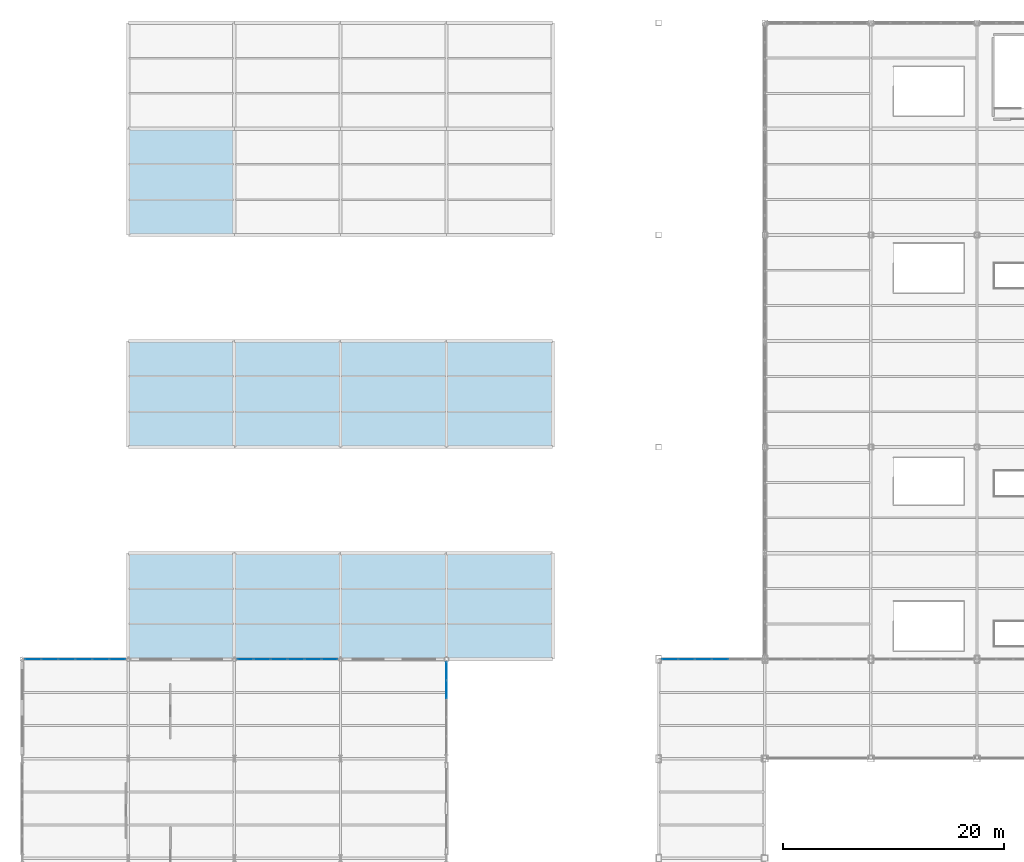
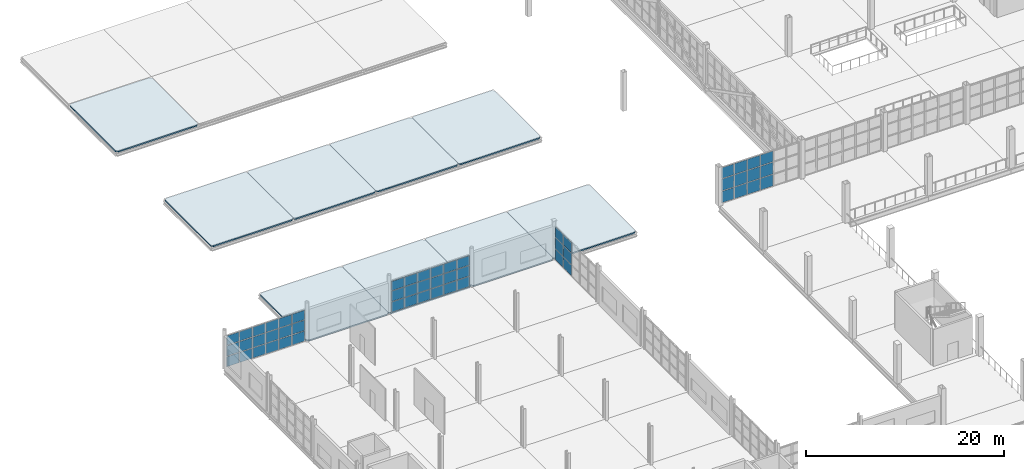
# One storey, part 81 of 120: 54 plates, 9 slabs, 4 elements without a shape of their own.
"""IFC4 building model written with IfcOpenShell, lengths in metres."""

from ifc_helpers import new_model, si_unit, direction, frame, origin, origin_2d, place, context, subcontext, project, spatial, polyline, rectangle, outline, extrude, material, layer, layer_set, type_object, element, aggregate, save


model = new_model("IFC4")

# Units and contexts
model_context = context("Model", 3, precision=1e-05, world=origin(), true_north=direction((0.0, 1.0)))
body_context = subcontext(model_context, "Body", "Model", "MODEL_VIEW")
ifc_project = project(units=[si_unit("LENGTHUNIT", "METRE"), si_unit("AREAUNIT", "SQUARE_METRE"), si_unit("VOLUMEUNIT", "CUBIC_METRE"), si_unit("PLANEANGLEUNIT", "RADIAN"), si_unit("MASSUNIT", "GRAM", prefix="KILO")], contexts=[model_context])

# Site, building, storey
site_placement = place(None, origin())
site = spatial("IfcSite", under=ifc_project, at=site_placement, CompositionType="ELEMENT")
building_placement = place(site_placement, origin())
building = spatial("IfcBuilding", under=site, at=building_placement, Name="Zarnetskaya Central Station", CompositionType="ELEMENT")
storey_placement = place(building_placement, frame((0.0, 0.0, 5.39990234375)))
storey = spatial("IfcBuildingStorey", under=building, at=storey_placement, Name="L01", CompositionType="ELEMENT", Elevation=5.39990234375)

# Curtain wall, plates
ifc_material_1 = material(Name="Low-E insulated glass", Category="glass")
ifc_layer_1 = layer(ifc_material_1, 0.16796875, Name="Low-E insulated glass", Category="glass")
ifc_layer_set_1 = layer_set([ifc_layer_1], Name="Low-E insulated glass")
curtain_wall_type_1 = type_object("IfcCurtainWallType", Name="CW-SYS-03", PredefinedType="USERDEFINED", material=ifc_layer_set_1)
curtain_wall_1_placement = place(storey_placement, origin())
curtain_wall_1 = element("IfcCurtainWall", 1, at=curtain_wall_1_placement, inside=storey, type_object=curtain_wall_type_1, Name="Curtain wall CW-L01-005", ObjectType="CURTAIN WALL", PredefinedType="USERDEFINED")
ifc_layer_2 = layer(ifc_material_1, 0.028076171875, Name="Low-E insulated glass", Category="glass")
ifc_layer_set_2 = layer_set([ifc_layer_2], Name="Low-E insulated glass")
plate_type_1 = type_object("IfcPlateType", Name="CW-PAN-28", PredefinedType="CURTAIN_PANEL", material=ifc_layer_set_2)
plate_1_placement = place(storey_placement, frame((0.98681640625, 67.199951171875, 0.06982421875), z_axis=(0.0, 0.0, 1.0), x_axis=(1.0, 0.0, 0.0)))
plate_1 = element("IfcPlate", 2, at=plate_1_placement, type_object=plate_type_1, Name="CW-12 panel 1.1", PredefinedType="CURTAIN_PANEL", context=body_context, shape_type="SweptSolid", body=[
    extrude(rectangle(XDim=1.42724609375, YDim=0.028076171875, at=origin_2d()), origin(), (0.0, 0.0, 1.0), 1.235107421875),
])
plate_2_placement = place(storey_placement, frame((0.98681640625, 67.199951171875, 1.375), z_axis=(0.0, 0.0, 1.0), x_axis=(1.0, 0.0, 0.0)))
plate_2 = element("IfcPlate", 3, at=plate_2_placement, type_object=plate_type_1, Name="CW-12 panel 1.2", PredefinedType="CURTAIN_PANEL", context=body_context, shape_type="SweptSolid", body=[
    extrude(rectangle(XDim=1.42724609375, YDim=0.028076171875, at=origin_2d()), origin(), (0.0, 0.0, 1.0), 1.26904296875),
])
plate_3_placement = place(storey_placement, frame((0.98681640625, 67.199951171875, 2.7138671875), z_axis=(0.0, 0.0, 1.0), x_axis=(1.0, 0.0, 0.0)))
plate_3 = element("IfcPlate", 4, at=plate_3_placement, type_object=plate_type_1, Name="CW-12 panel 1.3", PredefinedType="CURTAIN_PANEL", context=body_context, shape_type="SweptSolid", body=[
    extrude(rectangle(XDim=1.42724609375, YDim=0.028076171875, at=origin_2d()), origin(), (0.0, 0.0, 1.0), 1.156005859375),
])
plate_4_placement = place(storey_placement, frame((2.501708984375, 67.199951171875, 0.06982421875), z_axis=(0.0, 0.0, 1.0), x_axis=(1.0, 0.0, 0.0)))
plate_4 = element("IfcPlate", 5, at=plate_4_placement, type_object=plate_type_1, Name="CW-12 panel 2.1", PredefinedType="CURTAIN_PANEL", context=body_context, shape_type="SweptSolid", body=[
    extrude(rectangle(XDim=1.462158203125, YDim=0.028076171875, at=origin_2d()), origin(), (0.0, 0.0, 1.0), 1.235107421875),
])
plate_5_placement = place(storey_placement, frame((2.501708984375, 67.199951171875, 1.375), z_axis=(0.0, 0.0, 1.0), x_axis=(1.0, 0.0, 0.0)))
plate_5 = element("IfcPlate", 6, at=plate_5_placement, type_object=plate_type_1, Name="CW-12 panel 2.2", PredefinedType="CURTAIN_PANEL", context=body_context, shape_type="SweptSolid", body=[
    extrude(rectangle(XDim=1.462158203125, YDim=0.028076171875, at=origin_2d()), origin(), (0.0, 0.0, 1.0), 1.26904296875),
])
plate_6_placement = place(storey_placement, frame((2.501708984375, 67.199951171875, 2.7138671875), z_axis=(0.0, 0.0, 1.0), x_axis=(1.0, 0.0, 0.0)))
plate_6 = element("IfcPlate", 7, at=plate_6_placement, type_object=plate_type_1, Name="CW-12 panel 2.3", PredefinedType="CURTAIN_PANEL", context=body_context, shape_type="SweptSolid", body=[
    extrude(rectangle(XDim=1.462158203125, YDim=0.028076171875, at=origin_2d()), origin(), (0.0, 0.0, 1.0), 1.156005859375),
])
plate_7_placement = place(storey_placement, frame((4.033935546875, 67.199951171875, 0.06982421875), z_axis=(0.0, 0.0, 1.0), x_axis=(1.0, 0.0, 0.0)))
plate_7 = element("IfcPlate", 8, at=plate_7_placement, type_object=plate_type_1, Name="CW-12 panel 3.1", PredefinedType="CURTAIN_PANEL", context=body_context, shape_type="SweptSolid", body=[
    extrude(rectangle(XDim=1.462158203125, YDim=0.028076171875, at=origin_2d()), origin(), (0.0, 0.0, 1.0), 1.235107421875),
])
plate_8_placement = place(storey_placement, frame((4.033935546875, 67.199951171875, 1.375), z_axis=(0.0, 0.0, 1.0), x_axis=(1.0, 0.0, 0.0)))
plate_8 = element("IfcPlate", 9, at=plate_8_placement, type_object=plate_type_1, Name="CW-12 panel 3.2", PredefinedType="CURTAIN_PANEL", context=body_context, shape_type="SweptSolid", body=[
    extrude(rectangle(XDim=1.462158203125, YDim=0.028076171875, at=origin_2d()), origin(), (0.0, 0.0, 1.0), 1.26904296875),
])
plate_9_placement = place(storey_placement, frame((4.033935546875, 67.199951171875, 2.7138671875), z_axis=(0.0, 0.0, 1.0), x_axis=(1.0, 0.0, 0.0)))
plate_9 = element("IfcPlate", 10, at=plate_9_placement, type_object=plate_type_1, Name="CW-12 panel 3.3", PredefinedType="CURTAIN_PANEL", context=body_context, shape_type="SweptSolid", body=[
    extrude(rectangle(XDim=1.462158203125, YDim=0.028076171875, at=origin_2d()), origin(), (0.0, 0.0, 1.0), 1.156005859375),
])
plate_10_placement = place(storey_placement, frame((5.566162109375, 67.199951171875, 0.06982421875), z_axis=(0.0, 0.0, 1.0), x_axis=(1.0, 0.0, 0.0)))
plate_10 = element("IfcPlate", 11, at=plate_10_placement, type_object=plate_type_1, Name="CW-12 panel 4.1", PredefinedType="CURTAIN_PANEL", context=body_context, shape_type="SweptSolid", body=[
    extrude(rectangle(XDim=1.462158203125, YDim=0.028076171875, at=origin_2d()), origin(), (0.0, 0.0, 1.0), 1.235107421875),
])
plate_11_placement = place(storey_placement, frame((5.566162109375, 67.199951171875, 1.375), z_axis=(0.0, 0.0, 1.0), x_axis=(1.0, 0.0, 0.0)))
plate_11 = element("IfcPlate", 12, at=plate_11_placement, type_object=plate_type_1, Name="CW-12 panel 4.2", PredefinedType="CURTAIN_PANEL", context=body_context, shape_type="SweptSolid", body=[
    extrude(rectangle(XDim=1.462158203125, YDim=0.028076171875, at=origin_2d()), origin(), (0.0, 0.0, 1.0), 1.26904296875),
])
plate_12_placement = place(storey_placement, frame((5.566162109375, 67.199951171875, 2.7138671875), z_axis=(0.0, 0.0, 1.0), x_axis=(1.0, 0.0, 0.0)))
plate_12 = element("IfcPlate", 13, at=plate_12_placement, type_object=plate_type_1, Name="CW-12 panel 4.3", PredefinedType="CURTAIN_PANEL", context=body_context, shape_type="SweptSolid", body=[
    extrude(rectangle(XDim=1.462158203125, YDim=0.028076171875, at=origin_2d()), origin(), (0.0, 0.0, 1.0), 1.156005859375),
])
plate_13_placement = place(storey_placement, frame((7.098388671875, 67.199951171875, 0.06982421875), z_axis=(0.0, 0.0, 1.0), x_axis=(1.0, 0.0, 0.0)))
plate_13 = element("IfcPlate", 14, at=plate_13_placement, type_object=plate_type_1, Name="CW-12 panel 5.1", PredefinedType="CURTAIN_PANEL", context=body_context, shape_type="SweptSolid", body=[
    extrude(rectangle(XDim=1.462158203125, YDim=0.028076171875, at=origin_2d()), origin(), (0.0, 0.0, 1.0), 1.235107421875),
])
plate_14_placement = place(storey_placement, frame((7.098388671875, 67.199951171875, 1.375), z_axis=(0.0, 0.0, 1.0), x_axis=(1.0, 0.0, 0.0)))
plate_14 = element("IfcPlate", 15, at=plate_14_placement, type_object=plate_type_1, Name="CW-12 panel 5.2", PredefinedType="CURTAIN_PANEL", context=body_context, shape_type="SweptSolid", body=[
    extrude(rectangle(XDim=1.462158203125, YDim=0.028076171875, at=origin_2d()), origin(), (0.0, 0.0, 1.0), 1.26904296875),
])
plate_15_placement = place(storey_placement, frame((7.098388671875, 67.199951171875, 2.7138671875), z_axis=(0.0, 0.0, 1.0), x_axis=(1.0, 0.0, 0.0)))
plate_15 = element("IfcPlate", 16, at=plate_15_placement, type_object=plate_type_1, Name="CW-12 panel 5.3", PredefinedType="CURTAIN_PANEL", context=body_context, shape_type="SweptSolid", body=[
    extrude(rectangle(XDim=1.462158203125, YDim=0.028076171875, at=origin_2d()), origin(), (0.0, 0.0, 1.0), 1.156005859375),
])
plate_16_placement = place(storey_placement, frame((8.61328125, 67.199951171875, 0.06982421875), z_axis=(0.0, 0.0, 1.0), x_axis=(1.0, 0.0, 0.0)))
plate_16 = element("IfcPlate", 17, at=plate_16_placement, type_object=plate_type_1, Name="CW-12 panel 6.1", PredefinedType="CURTAIN_PANEL", context=body_context, shape_type="SweptSolid", body=[
    extrude(rectangle(XDim=1.42724609375, YDim=0.028076171875, at=origin_2d()), origin(), (0.0, 0.0, 1.0), 1.235107421875),
])
plate_17_placement = place(storey_placement, frame((8.61328125, 67.199951171875, 1.375), z_axis=(0.0, 0.0, 1.0), x_axis=(1.0, 0.0, 0.0)))
plate_17 = element("IfcPlate", 18, at=plate_17_placement, type_object=plate_type_1, Name="CW-12 panel 6.2", PredefinedType="CURTAIN_PANEL", context=body_context, shape_type="SweptSolid", body=[
    extrude(rectangle(XDim=1.42724609375, YDim=0.028076171875, at=origin_2d()), origin(), (0.0, 0.0, 1.0), 1.26904296875),
])
plate_18_placement = place(storey_placement, frame((8.61328125, 67.199951171875, 2.7138671875), z_axis=(0.0, 0.0, 1.0), x_axis=(1.0, 0.0, 0.0)))
plate_18 = element("IfcPlate", 19, at=plate_18_placement, type_object=plate_type_1, Name="CW-12 panel 6.3", PredefinedType="CURTAIN_PANEL", context=body_context, shape_type="SweptSolid", body=[
    extrude(rectangle(XDim=1.42724609375, YDim=0.028076171875, at=origin_2d()), origin(), (0.0, 0.0, 1.0), 1.156005859375),
])
aggregate(curtain_wall_1, [plate_1, plate_2, plate_3, plate_4, plate_5, plate_6, plate_7, plate_8, plate_9, plate_10, plate_11, plate_12, plate_13, plate_14, plate_15, plate_16, plate_17, plate_18])

ifc_layer_3 = layer(ifc_material_1, 0.159912109375, Name="Low-E insulated glass", Category="glass")
ifc_layer_set_3 = layer_set([ifc_layer_3], Name="Low-E insulated glass")
curtain_wall_type_2 = type_object("IfcCurtainWallType", Name="CW-SYS-11", PredefinedType="USERDEFINED", material=ifc_layer_set_3)
curtain_wall_2_placement = place(storey_placement, origin())
curtain_wall_2 = element("IfcCurtainWall", 20, at=curtain_wall_2_placement, inside=storey, type_object=curtain_wall_type_2, Name="Curtain wall CW-L01-075", ObjectType="CURTAIN WALL", PredefinedType="USERDEFINED")
plate_19_placement = place(storey_placement, frame((58.625732421875, 67.199951171875, 0.0703125), z_axis=(0.0, 0.0, 1.0), x_axis=(1.0, 0.0, 0.0)))
plate_19 = element("IfcPlate", 21, at=plate_19_placement, type_object=plate_type_1, Name="CW-09 panel 1.1", PredefinedType="CURTAIN_PANEL", context=body_context, shape_type="SweptSolid", body=[
    extrude(rectangle(XDim=1.41162109375, YDim=0.028076171875, at=origin_2d()), origin(), (0.0, 0.0, 1.0), 1.407958984375),
])
plate_20_placement = place(storey_placement, frame((58.625732421875, 67.199951171875, 1.5478515625), z_axis=(0.0, 0.0, 1.0), x_axis=(1.0, 0.0, 0.0)))
plate_20 = element("IfcPlate", 22, at=plate_20_placement, type_object=plate_type_1, Name="CW-09 panel 1.2", PredefinedType="CURTAIN_PANEL", context=body_context, shape_type="SweptSolid", body=[
    extrude(rectangle(XDim=1.41162109375, YDim=0.028076171875, at=origin_2d()), origin(), (0.0, 0.0, 1.0), 1.443115234375),
])
plate_21_placement = place(storey_placement, frame((58.625732421875, 67.199951171875, 3.06103515625), z_axis=(0.0, 0.0, 1.0), x_axis=(1.0, 0.0, 0.0)))
plate_21 = element("IfcPlate", 23, at=plate_21_placement, type_object=plate_type_1, Name="CW-09 panel 1.3", PredefinedType="CURTAIN_PANEL", context=body_context, shape_type="SweptSolid", body=[
    extrude(rectangle(XDim=1.41162109375, YDim=0.028076171875, at=origin_2d()), origin(), (0.0, 0.0, 1.0), 1.319091796875),
])
plate_22_placement = place(storey_placement, frame((60.125, 67.199951171875, 0.0703125), z_axis=(0.0, 0.0, 1.0), x_axis=(1.0, 0.0, 0.0)))
plate_22 = element("IfcPlate", 24, at=plate_22_placement, type_object=plate_type_1, Name="CW-09 panel 2.1", PredefinedType="CURTAIN_PANEL", context=body_context, shape_type="SweptSolid", body=[
    extrude(rectangle(XDim=1.44677734375, YDim=0.028076171875, at=origin_2d()), origin(), (0.0, 0.0, 1.0), 1.407958984375),
])
plate_23_placement = place(storey_placement, frame((60.125, 67.199951171875, 1.5478515625), z_axis=(0.0, 0.0, 1.0), x_axis=(1.0, 0.0, 0.0)))
plate_23 = element("IfcPlate", 25, at=plate_23_placement, type_object=plate_type_1, Name="CW-09 panel 2.2", PredefinedType="CURTAIN_PANEL", context=body_context, shape_type="SweptSolid", body=[
    extrude(rectangle(XDim=1.44677734375, YDim=0.028076171875, at=origin_2d()), origin(), (0.0, 0.0, 1.0), 1.443115234375),
])
plate_24_placement = place(storey_placement, frame((60.125, 67.199951171875, 3.06103515625), z_axis=(0.0, 0.0, 1.0), x_axis=(1.0, 0.0, 0.0)))
plate_24 = element("IfcPlate", 26, at=plate_24_placement, type_object=plate_type_1, Name="CW-09 panel 2.3", PredefinedType="CURTAIN_PANEL", context=body_context, shape_type="SweptSolid", body=[
    extrude(rectangle(XDim=1.44677734375, YDim=0.028076171875, at=origin_2d()), origin(), (0.0, 0.0, 1.0), 1.319091796875),
])
plate_25_placement = place(storey_placement, frame((61.6416015625, 67.199951171875, 0.0703125), z_axis=(0.0, 0.0, 1.0), x_axis=(1.0, 0.0, 0.0)))
plate_25 = element("IfcPlate", 27, at=plate_25_placement, type_object=plate_type_1, Name="CW-09 panel 3.1", PredefinedType="CURTAIN_PANEL", context=body_context, shape_type="SweptSolid", body=[
    extrude(rectangle(XDim=1.44677734375, YDim=0.028076171875, at=origin_2d()), origin(), (0.0, 0.0, 1.0), 1.407958984375),
])
plate_26_placement = place(storey_placement, frame((61.6416015625, 67.199951171875, 1.5478515625), z_axis=(0.0, 0.0, 1.0), x_axis=(1.0, 0.0, 0.0)))
plate_26 = element("IfcPlate", 28, at=plate_26_placement, type_object=plate_type_1, Name="CW-09 panel 3.2", PredefinedType="CURTAIN_PANEL", context=body_context, shape_type="SweptSolid", body=[
    extrude(rectangle(XDim=1.44677734375, YDim=0.028076171875, at=origin_2d()), origin(), (0.0, 0.0, 1.0), 1.443115234375),
])
plate_27_placement = place(storey_placement, frame((61.6416015625, 67.199951171875, 3.06103515625), z_axis=(0.0, 0.0, 1.0), x_axis=(1.0, 0.0, 0.0)))
plate_27 = element("IfcPlate", 29, at=plate_27_placement, type_object=plate_type_1, Name="CW-09 panel 3.3", PredefinedType="CURTAIN_PANEL", context=body_context, shape_type="SweptSolid", body=[
    extrude(rectangle(XDim=1.44677734375, YDim=0.028076171875, at=origin_2d()), origin(), (0.0, 0.0, 1.0), 1.319091796875),
])
plate_28_placement = place(storey_placement, frame((63.158447265625, 67.199951171875, 0.0703125), z_axis=(0.0, 0.0, 1.0), x_axis=(1.0, 0.0, 0.0)))
plate_28 = element("IfcPlate", 30, at=plate_28_placement, type_object=plate_type_1, Name="CW-09 panel 4.1", PredefinedType="CURTAIN_PANEL", context=body_context, shape_type="SweptSolid", body=[
    extrude(rectangle(XDim=1.44677734375, YDim=0.028076171875, at=origin_2d()), origin(), (0.0, 0.0, 1.0), 1.407958984375),
])
plate_29_placement = place(storey_placement, frame((63.158447265625, 67.199951171875, 1.5478515625), z_axis=(0.0, 0.0, 1.0), x_axis=(1.0, 0.0, 0.0)))
plate_29 = element("IfcPlate", 31, at=plate_29_placement, type_object=plate_type_1, Name="CW-09 panel 4.2", PredefinedType="CURTAIN_PANEL", context=body_context, shape_type="SweptSolid", body=[
    extrude(rectangle(XDim=1.44677734375, YDim=0.028076171875, at=origin_2d()), origin(), (0.0, 0.0, 1.0), 1.443115234375),
])
plate_30_placement = place(storey_placement, frame((63.158447265625, 67.199951171875, 3.06103515625), z_axis=(0.0, 0.0, 1.0), x_axis=(1.0, 0.0, 0.0)))
plate_30 = element("IfcPlate", 32, at=plate_30_placement, type_object=plate_type_1, Name="CW-09 panel 4.3", PredefinedType="CURTAIN_PANEL", context=body_context, shape_type="SweptSolid", body=[
    extrude(rectangle(XDim=1.44677734375, YDim=0.028076171875, at=origin_2d()), origin(), (0.0, 0.0, 1.0), 1.319091796875),
])
aggregate(curtain_wall_2, [plate_19, plate_20, plate_21, plate_22, plate_23, plate_24, plate_25, plate_26, plate_27, plate_28, plate_29, plate_30])

ifc_layer_4 = layer(ifc_material_1, 0.176025390625, Name="Low-E insulated glass", Category="glass")
ifc_layer_set_4 = layer_set([ifc_layer_4], Name="Low-E insulated glass")
curtain_wall_type_3 = type_object("IfcCurtainWallType", Name="CW-SYS-05", PredefinedType="USERDEFINED", material=ifc_layer_set_4)
curtain_wall_3_placement = place(storey_placement, origin())
curtain_wall_3 = element("IfcCurtainWall", 33, at=curtain_wall_3_placement, inside=storey, type_object=curtain_wall_type_3, Name="Curtain wall CW-L01-006", ObjectType="CURTAIN WALL", PredefinedType="USERDEFINED")
ifc_layer_5 = layer(ifc_material_1, 0.031982421875, Name="Low-E insulated glass", Category="glass")
ifc_layer_set_5 = layer_set([ifc_layer_5], Name="Low-E insulated glass")
plate_type_2 = type_object("IfcPlateType", Name="CW-PAN-32", PredefinedType="CURTAIN_PANEL", material=ifc_layer_set_5)
plate_31_placement = place(storey_placement, frame((20.189453125, 67.199951171875, 0.080078125), z_axis=(0.0, 0.0, 1.0), x_axis=(1.0, 0.0, 0.0)))
plate_31 = element("IfcPlate", 34, at=plate_31_placement, type_object=plate_type_2, Name="CW-14 panel 1.1", PredefinedType="CURTAIN_PANEL", context=body_context, shape_type="SweptSolid", body=[
    extrude(rectangle(XDim=1.412353515625, YDim=0.031982421875, at=origin_2d()), origin(), (0.0, 0.0, 1.0), 1.219970703125),
])
plate_32_placement = place(storey_placement, frame((20.189453125, 67.199951171875, 1.3798828125), z_axis=(0.0, 0.0, 1.0), x_axis=(1.0, 0.0, 0.0)))
plate_32 = element("IfcPlate", 35, at=plate_32_placement, type_object=plate_type_2, Name="CW-14 panel 1.2", PredefinedType="CURTAIN_PANEL", context=body_context, shape_type="SweptSolid", body=[
    extrude(rectangle(XDim=1.412353515625, YDim=0.031982421875, at=origin_2d()), origin(), (0.0, 0.0, 1.0), 1.259033203125),
])
plate_33_placement = place(storey_placement, frame((20.189453125, 67.199951171875, 2.718994140625), z_axis=(0.0, 0.0, 1.0), x_axis=(1.0, 0.0, 0.0)))
plate_33 = element("IfcPlate", 36, at=plate_33_placement, type_object=plate_type_2, Name="CW-14 panel 1.3", PredefinedType="CURTAIN_PANEL", context=body_context, shape_type="SweptSolid", body=[
    extrude(rectangle(XDim=1.412353515625, YDim=0.031982421875, at=origin_2d()), origin(), (0.0, 0.0, 1.0), 1.14111328125),
])
plate_34_placement = place(storey_placement, frame((21.70166015625, 67.199951171875, 0.080078125), z_axis=(0.0, 0.0, 1.0), x_axis=(1.0, 0.0, 0.0)))
plate_34 = element("IfcPlate", 37, at=plate_34_placement, type_object=plate_type_2, Name="CW-14 panel 2.1", PredefinedType="CURTAIN_PANEL", context=body_context, shape_type="SweptSolid", body=[
    extrude(rectangle(XDim=1.4521484375, YDim=0.031982421875, at=origin_2d()), origin(), (0.0, 0.0, 1.0), 1.219970703125),
])
plate_35_placement = place(storey_placement, frame((21.70166015625, 67.199951171875, 1.3798828125), z_axis=(0.0, 0.0, 1.0), x_axis=(1.0, 0.0, 0.0)))
plate_35 = element("IfcPlate", 38, at=plate_35_placement, type_object=plate_type_2, Name="CW-14 panel 2.2", PredefinedType="CURTAIN_PANEL", context=body_context, shape_type="SweptSolid", body=[
    extrude(rectangle(XDim=1.4521484375, YDim=0.031982421875, at=origin_2d()), origin(), (0.0, 0.0, 1.0), 1.259033203125),
])
plate_36_placement = place(storey_placement, frame((21.70166015625, 67.199951171875, 2.718994140625), z_axis=(0.0, 0.0, 1.0), x_axis=(1.0, 0.0, 0.0)))
plate_36 = element("IfcPlate", 39, at=plate_36_placement, type_object=plate_type_2, Name="CW-14 panel 2.3", PredefinedType="CURTAIN_PANEL", context=body_context, shape_type="SweptSolid", body=[
    extrude(rectangle(XDim=1.4521484375, YDim=0.031982421875, at=origin_2d()), origin(), (0.0, 0.0, 1.0), 1.14111328125),
])
plate_37_placement = place(storey_placement, frame((23.23388671875, 67.199951171875, 0.080078125), z_axis=(0.0, 0.0, 1.0), x_axis=(1.0, 0.0, 0.0)))
plate_37 = element("IfcPlate", 40, at=plate_37_placement, type_object=plate_type_2, Name="CW-14 panel 3.1", PredefinedType="CURTAIN_PANEL", context=body_context, shape_type="SweptSolid", body=[
    extrude(rectangle(XDim=1.4521484375, YDim=0.031982421875, at=origin_2d()), origin(), (0.0, 0.0, 1.0), 1.219970703125),
])
plate_38_placement = place(storey_placement, frame((23.23388671875, 67.199951171875, 1.3798828125), z_axis=(0.0, 0.0, 1.0), x_axis=(1.0, 0.0, 0.0)))
plate_38 = element("IfcPlate", 41, at=plate_38_placement, type_object=plate_type_2, Name="CW-14 panel 3.2", PredefinedType="CURTAIN_PANEL", context=body_context, shape_type="SweptSolid", body=[
    extrude(rectangle(XDim=1.4521484375, YDim=0.031982421875, at=origin_2d()), origin(), (0.0, 0.0, 1.0), 1.259033203125),
])
plate_39_placement = place(storey_placement, frame((23.23388671875, 67.199951171875, 2.718994140625), z_axis=(0.0, 0.0, 1.0), x_axis=(1.0, 0.0, 0.0)))
plate_39 = element("IfcPlate", 42, at=plate_39_placement, type_object=plate_type_2, Name="CW-14 panel 3.3", PredefinedType="CURTAIN_PANEL", context=body_context, shape_type="SweptSolid", body=[
    extrude(rectangle(XDim=1.4521484375, YDim=0.031982421875, at=origin_2d()), origin(), (0.0, 0.0, 1.0), 1.14111328125),
])
plate_40_placement = place(storey_placement, frame((24.76611328125, 67.199951171875, 0.080078125), z_axis=(0.0, 0.0, 1.0), x_axis=(1.0, 0.0, 0.0)))
plate_40 = element("IfcPlate", 43, at=plate_40_placement, type_object=plate_type_2, Name="CW-14 panel 4.1", PredefinedType="CURTAIN_PANEL", context=body_context, shape_type="SweptSolid", body=[
    extrude(rectangle(XDim=1.4521484375, YDim=0.031982421875, at=origin_2d()), origin(), (0.0, 0.0, 1.0), 1.219970703125),
])
plate_41_placement = place(storey_placement, frame((24.76611328125, 67.199951171875, 1.3798828125), z_axis=(0.0, 0.0, 1.0), x_axis=(1.0, 0.0, 0.0)))
plate_41 = element("IfcPlate", 44, at=plate_41_placement, type_object=plate_type_2, Name="CW-14 panel 4.2", PredefinedType="CURTAIN_PANEL", context=body_context, shape_type="SweptSolid", body=[
    extrude(rectangle(XDim=1.4521484375, YDim=0.031982421875, at=origin_2d()), origin(), (0.0, 0.0, 1.0), 1.259033203125),
])
plate_42_placement = place(storey_placement, frame((24.76611328125, 67.199951171875, 2.718994140625), z_axis=(0.0, 0.0, 1.0), x_axis=(1.0, 0.0, 0.0)))
plate_42 = element("IfcPlate", 45, at=plate_42_placement, type_object=plate_type_2, Name="CW-14 panel 4.3", PredefinedType="CURTAIN_PANEL", context=body_context, shape_type="SweptSolid", body=[
    extrude(rectangle(XDim=1.4521484375, YDim=0.031982421875, at=origin_2d()), origin(), (0.0, 0.0, 1.0), 1.14111328125),
])
plate_43_placement = place(storey_placement, frame((26.29833984375, 67.199951171875, 0.080078125), z_axis=(0.0, 0.0, 1.0), x_axis=(1.0, 0.0, 0.0)))
plate_43 = element("IfcPlate", 46, at=plate_43_placement, type_object=plate_type_2, Name="CW-14 panel 5.1", PredefinedType="CURTAIN_PANEL", context=body_context, shape_type="SweptSolid", body=[
    extrude(rectangle(XDim=1.4521484375, YDim=0.031982421875, at=origin_2d()), origin(), (0.0, 0.0, 1.0), 1.219970703125),
])
plate_44_placement = place(storey_placement, frame((26.29833984375, 67.199951171875, 1.3798828125), z_axis=(0.0, 0.0, 1.0), x_axis=(1.0, 0.0, 0.0)))
plate_44 = element("IfcPlate", 47, at=plate_44_placement, type_object=plate_type_2, Name="CW-14 panel 5.2", PredefinedType="CURTAIN_PANEL", context=body_context, shape_type="SweptSolid", body=[
    extrude(rectangle(XDim=1.4521484375, YDim=0.031982421875, at=origin_2d()), origin(), (0.0, 0.0, 1.0), 1.259033203125),
])
plate_45_placement = place(storey_placement, frame((26.29833984375, 67.199951171875, 2.718994140625), z_axis=(0.0, 0.0, 1.0), x_axis=(1.0, 0.0, 0.0)))
plate_45 = element("IfcPlate", 48, at=plate_45_placement, type_object=plate_type_2, Name="CW-14 panel 5.3", PredefinedType="CURTAIN_PANEL", context=body_context, shape_type="SweptSolid", body=[
    extrude(rectangle(XDim=1.4521484375, YDim=0.031982421875, at=origin_2d()), origin(), (0.0, 0.0, 1.0), 1.14111328125),
])
plate_46_placement = place(storey_placement, frame((27.810546875, 67.199951171875, 0.080078125), z_axis=(0.0, 0.0, 1.0), x_axis=(1.0, 0.0, 0.0)))
plate_46 = element("IfcPlate", 49, at=plate_46_placement, type_object=plate_type_2, Name="CW-14 panel 6.1", PredefinedType="CURTAIN_PANEL", context=body_context, shape_type="SweptSolid", body=[
    extrude(rectangle(XDim=1.412353515625, YDim=0.031982421875, at=origin_2d()), origin(), (0.0, 0.0, 1.0), 1.219970703125),
])
plate_47_placement = place(storey_placement, frame((27.810546875, 67.199951171875, 1.3798828125), z_axis=(0.0, 0.0, 1.0), x_axis=(1.0, 0.0, 0.0)))
plate_47 = element("IfcPlate", 50, at=plate_47_placement, type_object=plate_type_2, Name="CW-14 panel 6.2", PredefinedType="CURTAIN_PANEL", context=body_context, shape_type="SweptSolid", body=[
    extrude(rectangle(XDim=1.412353515625, YDim=0.031982421875, at=origin_2d()), origin(), (0.0, 0.0, 1.0), 1.259033203125),
])
plate_48_placement = place(storey_placement, frame((27.810546875, 67.199951171875, 2.718994140625), z_axis=(0.0, 0.0, 1.0), x_axis=(1.0, 0.0, 0.0)))
plate_48 = element("IfcPlate", 51, at=plate_48_placement, type_object=plate_type_2, Name="CW-14 panel 6.3", PredefinedType="CURTAIN_PANEL", context=body_context, shape_type="SweptSolid", body=[
    extrude(rectangle(XDim=1.412353515625, YDim=0.031982421875, at=origin_2d()), origin(), (0.0, 0.0, 1.0), 1.14111328125),
])
aggregate(curtain_wall_3, [plate_31, plate_32, plate_33, plate_34, plate_35, plate_36, plate_37, plate_38, plate_39, plate_40, plate_41, plate_42, plate_43, plate_44, plate_45, plate_46, plate_47, plate_48])

curtain_wall_4_placement = place(storey_placement, origin())
curtain_wall_4 = element("IfcCurtainWall", 52, at=curtain_wall_4_placement, inside=storey, type_object=curtain_wall_type_1, Name="Curtain wall CW-L01-007", ObjectType="CURTAIN WALL", PredefinedType="USERDEFINED")
ifc_layer_6 = layer(ifc_material_1, 0.035888671875, Name="Low-E insulated glass", Category="glass")
ifc_layer_set_6 = layer_set([ifc_layer_6], Name="Low-E insulated glass")
plate_type_3 = type_object("IfcPlateType", Name="CW-PAN-36", PredefinedType="CURTAIN_PANEL", material=ifc_layer_set_6)
plate_49_placement = place(storey_placement, frame((38.39990234375, 66.134521484375, 0.0703125), z_axis=(0.0, 0.0, 1.0), x_axis=(0.0, -1.0, 0.0)))
plate_49 = element("IfcPlate", 53, at=plate_49_placement, type_object=plate_type_3, Name="CW-12 panel 1.1", PredefinedType="CURTAIN_PANEL", context=body_context, shape_type="SweptSolid", body=[
    extrude(rectangle(XDim=1.58447265625, YDim=0.035888671875, at=origin_2d()), origin(), (0.0, 0.0, 1.0), 1.322998046875),
])
plate_50_placement = place(storey_placement, frame((38.39990234375, 66.134521484375, 1.463134765625), z_axis=(0.0, 0.0, 1.0), x_axis=(0.0, -1.0, 0.0)))
plate_50 = element("IfcPlate", 54, at=plate_50_placement, type_object=plate_type_3, Name="CW-12 panel 1.2", PredefinedType="CURTAIN_PANEL", context=body_context, shape_type="SweptSolid", body=[
    extrude(rectangle(XDim=1.58447265625, YDim=0.035888671875, at=origin_2d()), origin(), (0.0, 0.0, 1.0), 1.35791015625),
])
plate_51_placement = place(storey_placement, frame((38.39990234375, 66.134521484375, 2.89111328125), z_axis=(0.0, 0.0, 1.0), x_axis=(0.0, -1.0, 0.0)))
plate_51 = element("IfcPlate", 55, at=plate_51_placement, type_object=plate_type_3, Name="CW-12 panel 1.3", PredefinedType="CURTAIN_PANEL", context=body_context, shape_type="SweptSolid", body=[
    extrude(rectangle(XDim=1.58447265625, YDim=0.035888671875, at=origin_2d()), origin(), (0.0, 0.0, 1.0), 1.239013671875),
])
plate_52_placement = place(storey_placement, frame((38.39990234375, 64.462646484375, 0.0703125), z_axis=(0.0, 0.0, 1.0), x_axis=(0.0, -1.0, 0.0)))
plate_52 = element("IfcPlate", 56, at=plate_52_placement, type_object=plate_type_3, Name="CW-12 panel 2.1", PredefinedType="CURTAIN_PANEL", context=body_context, shape_type="SweptSolid", body=[
    extrude(rectangle(XDim=1.619384765625, YDim=0.035888671875, at=origin_2d()), origin(), (0.0, 0.0, 1.0), 1.322998046875),
])
plate_53_placement = place(storey_placement, frame((38.39990234375, 64.462646484375, 1.463134765625), z_axis=(0.0, 0.0, 1.0), x_axis=(0.0, -1.0, 0.0)))
plate_53 = element("IfcPlate", 57, at=plate_53_placement, type_object=plate_type_3, Name="CW-12 panel 2.2", PredefinedType="CURTAIN_PANEL", context=body_context, shape_type="SweptSolid", body=[
    extrude(rectangle(XDim=1.619384765625, YDim=0.035888671875, at=origin_2d()), origin(), (0.0, 0.0, 1.0), 1.35791015625),
])
plate_54_placement = place(storey_placement, frame((38.39990234375, 64.462646484375, 2.89111328125), z_axis=(0.0, 0.0, 1.0), x_axis=(0.0, -1.0, 0.0)))
plate_54 = element("IfcPlate", 58, at=plate_54_placement, type_object=plate_type_3, Name="CW-12 panel 2.3", PredefinedType="CURTAIN_PANEL", context=body_context, shape_type="SweptSolid", body=[
    extrude(rectangle(XDim=1.619384765625, YDim=0.035888671875, at=origin_2d()), origin(), (0.0, 0.0, 1.0), 1.239013671875),
])
aggregate(curtain_wall_4, [plate_49, plate_50, plate_51, plate_52, plate_53, plate_54])

# Slabs
ifc_material_2 = material(Name="Concrete C30/37", Category="concrete")
ifc_layer_7 = layer(ifc_material_2, 0.159912109375, Name="Concrete C30/37", Category="concrete")
ifc_layer_set_7 = layer_set([ifc_layer_7], Name="Concrete C30/37")
slab_type = type_object("IfcSlabType", Name="ROOF-CANOPY-160", PredefinedType="ROOF", material=ifc_layer_set_7)
slab_1_placement = place(storey_placement, frame((0.0, 0.0, -0.159912109375)))
element("IfcSlab", 59, at=slab_1_placement, inside=storey, type_object=slab_type, Name="Platform canopy slab 9-10 B-C", PredefinedType="ROOF", context=body_context, shape_type="SweptSolid", body=[
    extrude(outline(polyline([(9.840087890625, 67.199951171875), (18.9599609375, 67.199951171875), (19.199951171875, 67.43994140625), (19.199951171875, 76.56005859375), (18.9599609375, 76.800048828125), (9.840087890625, 76.800048828125), (9.60009765625, 76.56005859375), (9.60009765625, 67.43994140625), (9.840087890625, 67.199951171875)])), origin(), (0.0, 0.0, 1.0), 0.159912109375),
])
slab_2_placement = place(storey_placement, frame((0.0, 0.0, -0.159912109375)))
element("IfcSlab", 60, at=slab_2_placement, inside=storey, type_object=slab_type, Name="Platform canopy slab 11-12 B-C", PredefinedType="ROOF", context=body_context, shape_type="SweptSolid", body=[
    extrude(outline(polyline([(9.840087890625, 86.39990234375), (18.9599609375, 86.39990234375), (19.199951171875, 86.639892578125), (19.199951171875, 95.760009765625), (18.9599609375, 96.0), (9.840087890625, 96.0), (9.60009765625, 95.760009765625), (9.60009765625, 86.639892578125), (9.840087890625, 86.39990234375)])), origin(), (0.0, 0.0, 1.0), 0.159912109375),
])
slab_3_placement = place(storey_placement, frame((0.0, 0.0, -0.159912109375)))
element("IfcSlab", 61, at=slab_3_placement, inside=storey, type_object=slab_type, Name="Platform canopy slab 13-14 B-C", PredefinedType="ROOF", context=body_context, shape_type="SweptSolid", body=[
    extrude(outline(polyline([(9.840087890625, 105.60009765625), (18.9599609375, 105.60009765625), (19.199951171875, 105.840087890625), (19.199951171875, 114.9599609375), (18.9599609375, 115.199951171875), (9.840087890625, 115.199951171875), (9.60009765625, 114.9599609375), (9.60009765625, 105.840087890625), (9.840087890625, 105.60009765625)])), origin(), (0.0, 0.0, 1.0), 0.159912109375),
])
slab_4_placement = place(storey_placement, frame((0.0, 0.0, -0.159912109375)))
element("IfcSlab", 62, at=slab_4_placement, inside=storey, type_object=slab_type, Name="Platform canopy slab 9-10 C-D", PredefinedType="ROOF", context=body_context, shape_type="SweptSolid", body=[
    extrude(outline(polyline([(19.43994140625, 67.199951171875), (28.56005859375, 67.199951171875), (28.800048828125, 67.43994140625), (28.800048828125, 76.56005859375), (28.56005859375, 76.800048828125), (19.43994140625, 76.800048828125), (19.199951171875, 76.56005859375), (19.199951171875, 67.43994140625), (19.43994140625, 67.199951171875)])), origin(), (0.0, 0.0, 1.0), 0.159912109375),
])
slab_5_placement = place(storey_placement, frame((0.0, 0.0, -0.159912109375)))
element("IfcSlab", 63, at=slab_5_placement, inside=storey, type_object=slab_type, Name="Platform canopy slab 11-12 C-D", PredefinedType="ROOF", context=body_context, shape_type="SweptSolid", body=[
    extrude(outline(polyline([(19.43994140625, 86.39990234375), (28.56005859375, 86.39990234375), (28.800048828125, 86.639892578125), (28.800048828125, 95.760009765625), (28.56005859375, 96.0), (19.43994140625, 96.0), (19.199951171875, 95.760009765625), (19.199951171875, 86.639892578125), (19.43994140625, 86.39990234375)])), origin(), (0.0, 0.0, 1.0), 0.159912109375),
])
slab_6_placement = place(storey_placement, frame((0.0, 0.0, -0.159912109375)))
element("IfcSlab", 64, at=slab_6_placement, inside=storey, type_object=slab_type, Name="Platform canopy slab 9-10 D-E", PredefinedType="ROOF", context=body_context, shape_type="SweptSolid", body=[
    extrude(outline(polyline([(29.0400390625, 67.199951171875), (38.159912109375, 67.199951171875), (38.39990234375, 67.43994140625), (38.39990234375, 76.56005859375), (38.159912109375, 76.800048828125), (29.0400390625, 76.800048828125), (28.800048828125, 76.56005859375), (28.800048828125, 67.43994140625), (29.0400390625, 67.199951171875)])), origin(), (0.0, 0.0, 1.0), 0.159912109375),
])
slab_7_placement = place(storey_placement, frame((0.0, 0.0, -0.159912109375)))
element("IfcSlab", 65, at=slab_7_placement, inside=storey, type_object=slab_type, Name="Platform canopy slab 11-12 D-E", PredefinedType="ROOF", context=body_context, shape_type="SweptSolid", body=[
    extrude(outline(polyline([(29.0400390625, 86.39990234375), (38.159912109375, 86.39990234375), (38.39990234375, 86.639892578125), (38.39990234375, 95.760009765625), (38.159912109375, 96.0), (29.0400390625, 96.0), (28.800048828125, 95.760009765625), (28.800048828125, 86.639892578125), (29.0400390625, 86.39990234375)])), origin(), (0.0, 0.0, 1.0), 0.159912109375),
])
slab_8_placement = place(storey_placement, frame((0.0, 0.0, -0.159912109375)))
element("IfcSlab", 66, at=slab_8_placement, inside=storey, type_object=slab_type, Name="Platform canopy slab 9-10 E-F", PredefinedType="ROOF", context=body_context, shape_type="SweptSolid", body=[
    extrude(outline(polyline([(38.639892578125, 67.199951171875), (47.760009765625, 67.199951171875), (48.0, 67.43994140625), (48.0, 76.56005859375), (47.760009765625, 76.800048828125), (38.639892578125, 76.800048828125), (38.39990234375, 76.56005859375), (38.39990234375, 67.43994140625), (38.639892578125, 67.199951171875)])), origin(), (0.0, 0.0, 1.0), 0.159912109375),
])
slab_9_placement = place(storey_placement, frame((0.0, 0.0, -0.159912109375)))
element("IfcSlab", 67, at=slab_9_placement, inside=storey, type_object=slab_type, Name="Platform canopy slab 11-12 E-F", PredefinedType="ROOF", context=body_context, shape_type="SweptSolid", body=[
    extrude(outline(polyline([(38.639892578125, 86.39990234375), (47.760009765625, 86.39990234375), (48.0, 86.639892578125), (48.0, 95.760009765625), (47.760009765625, 96.0), (38.639892578125, 96.0), (38.39990234375, 95.760009765625), (38.39990234375, 86.639892578125), (38.639892578125, 86.39990234375)])), origin(), (0.0, 0.0, 1.0), 0.159912109375),
])

save(model, "model.ifc")
